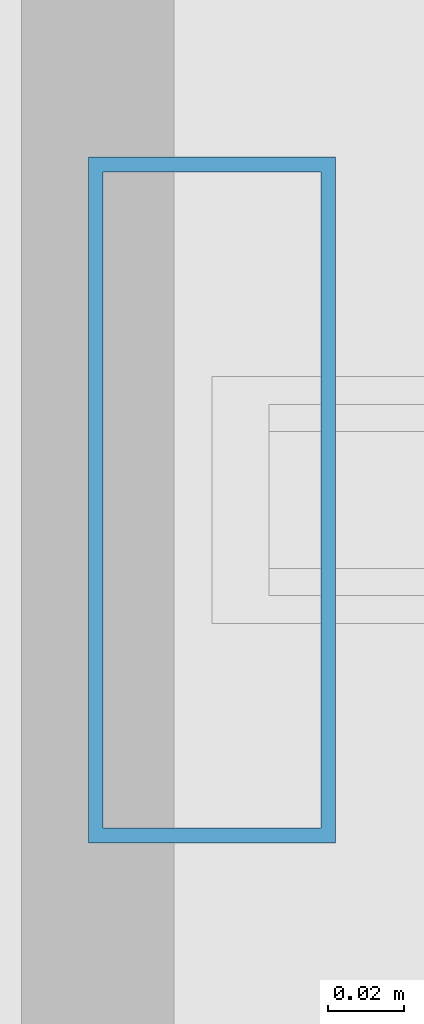
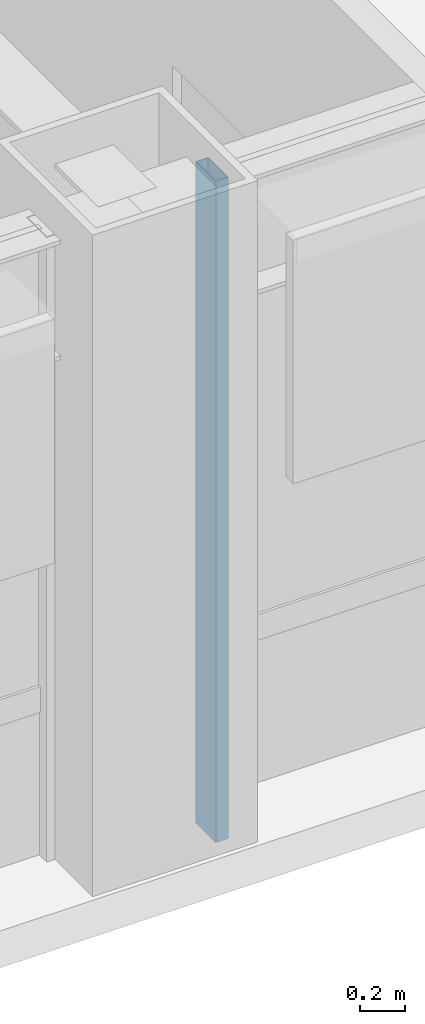
# One storey, part 6 of 34: 1 member, 1 element without a shape of its own.
"""IFC4 building model written with IfcOpenShell, lengths in metres."""

from ifc_helpers import new_model, si_unit, direction, frame, origin, origin_2d, place, context, subcontext, project, spatial, hollow_rectangle, extrude, material, layer, layer_set, material_profile, profile_set, type_object, element, aggregate, save


model = new_model("IFC4")

# Units and contexts
model_context = context("Model", 3, precision=1e-05, world=origin(), true_north=direction((0.0, 1.0)))
body_context = subcontext(model_context, "Body", "Model", "MODEL_VIEW")
ifc_project = project(units=[si_unit("LENGTHUNIT", "METRE"), si_unit("AREAUNIT", "SQUARE_METRE"), si_unit("VOLUMEUNIT", "CUBIC_METRE"), si_unit("PLANEANGLEUNIT", "RADIAN"), si_unit("MASSUNIT", "GRAM", prefix="KILO")], contexts=[model_context])

# Site, building, storey
site_placement = place(None, origin())
site = spatial("IfcSite", under=ifc_project, at=site_placement, CompositionType="ELEMENT")
building_placement = place(site_placement, origin())
building = spatial("IfcBuilding", under=site, at=building_placement, Name="Brelmoor Portico Tower", CompositionType="ELEMENT")
storey_placement = place(building_placement, frame((0.0, 0.0, 117.0)))
storey = spatial("IfcBuildingStorey", under=building, at=storey_placement, Name="L30", CompositionType="ELEMENT", Elevation=117.0)

# Curtain wall, member
ifc_material = material(Name="Anodised Aluminium Alloy 6063-T6", Category="aluminium")
ifc_layer = layer(ifc_material, 0.179931640625)
ifc_layer_set = layer_set([ifc_layer], Name="Anodised Aluminium Alloy 6063-T6")
curtain_wall_type = type_object("IfcCurtainWallType", Name="CW-TOWER-Z2", PredefinedType="NOTDEFINED", material=ifc_layer_set)
curtain_wall_placement = place(storey_placement, origin())
curtain_wall = element("IfcCurtainWall", 1, at=curtain_wall_placement, inside=storey, type_object=curtain_wall_type, Name="L30 Curtain Wall CW-L30-01-3", PredefinedType="NOTDEFINED")
ifc_material_profile = material_profile(ifc_material, hollow_rectangle(XDim=0.06494140625, YDim=0.179931640625, WallThickness=0.00390625, at=origin_2d()), Name="ALU MULLION 65x180")
ifc_profile_set = profile_set([ifc_material_profile], Name="Anodised Aluminium Alloy 6063-T6")
member_type = type_object("IfcMemberType", Name="MB-CW-MULL-180", PredefinedType="MULLION", material=ifc_profile_set)
member_placement = place(storey_placement, frame((-7.614990234375, -19.550048828125, -0.199951171875), z_axis=(0.0, 0.0, 1.0), x_axis=(1.0, 0.0, 0.0)))
member = element("IfcMember", 2, at=member_placement, type_object=member_type, Name="CW-L30-01-3 Mullion 00", PredefinedType="MULLION", context=body_context, shape_type="SweptSolid", body=[
    extrude(hollow_rectangle(XDim=0.06494140625, YDim=0.179931640625, WallThickness=0.00390625, at=origin_2d()), origin(), (0.0, 0.0, 1.0), 3.599853515625),
])
aggregate(curtain_wall, [member])

save(model, "model.ifc")
